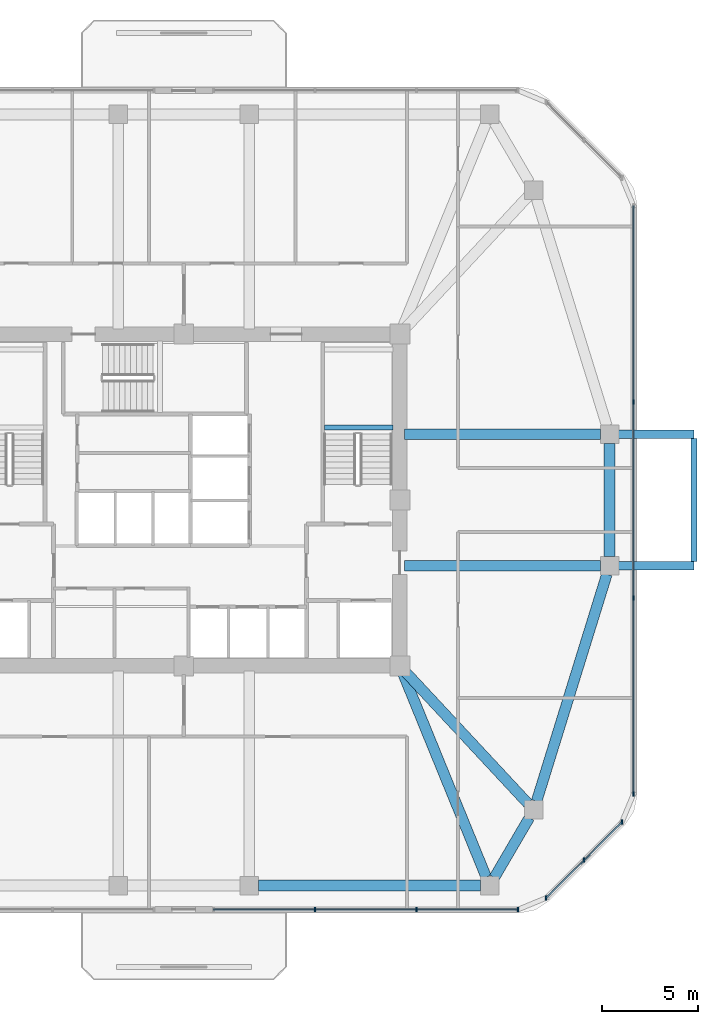
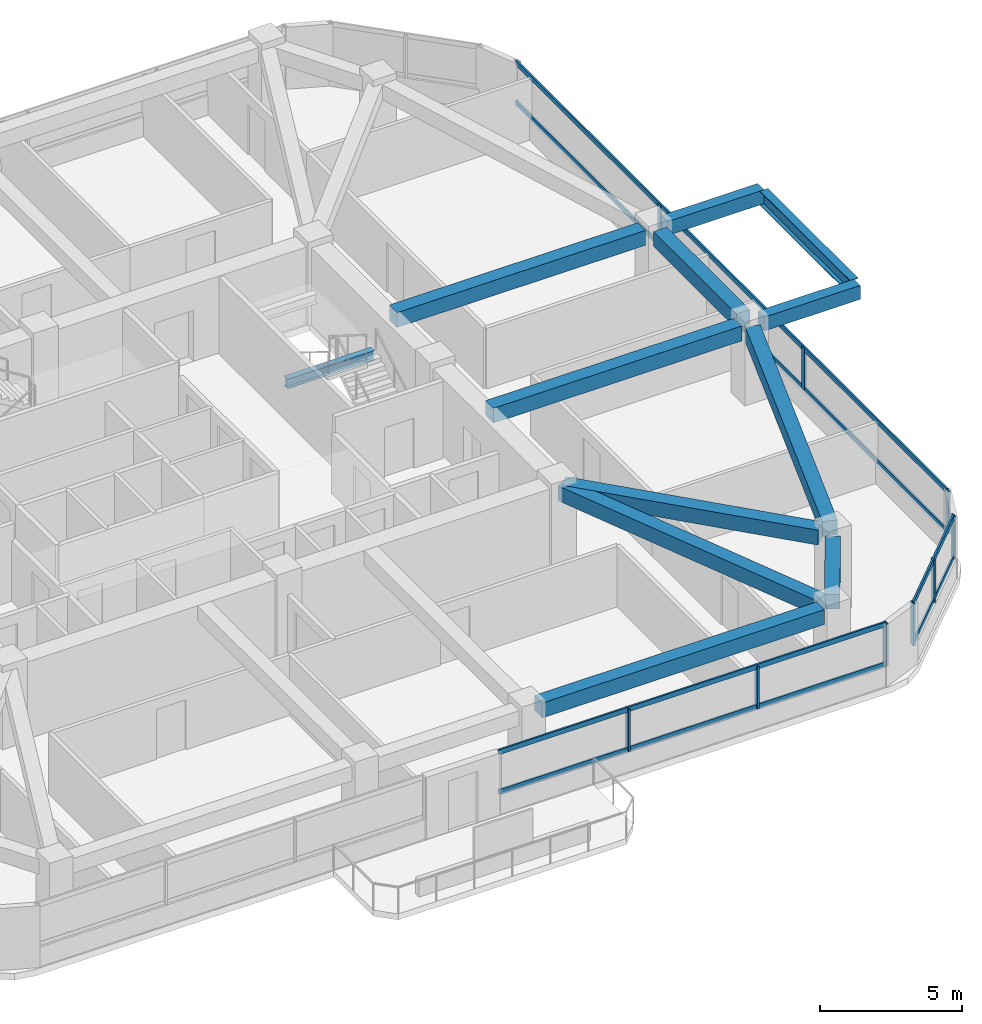
# One storey, part 3 of 11: 15 members, 12 beams, 3 elements without a shape of their own.
"""IFC4 building model written with IfcOpenShell, lengths in metres."""

import ifcopenshell
import ifcopenshell.guid

model = None  # the IFC model being written
_history = None  # IfcOwnerHistory: only IFC2X3 demands one
_inside = {}  # id of a spatial element -> (the spatial element, [elements in it])
_under = {}  # id of a project, library or spatial element -> (it, [spatial elements below it])
_declared = {}  # id of a project -> (the project, [libraries it declares])
_typed = {}  # id of a type object -> (the type object, [elements of that type])
_made_of = {}  # id of a material, layer set ... -> (it, [elements and type objects made of it])


def new_model(schema):
    """Start an empty IFC model of exactly this schema.

    Asked for "IFC4X3", IfcOpenShell would pick the latest addendum, in which some entities
    have other attributes; the version numbers below select the first issue.
    IFC2X3 requires an IfcOwnerHistory on every rooted entity: one is made here for all.
    """
    global model, _history
    if schema == "IFC4X3":
        model = ifcopenshell.file(schema_version=(4, 3, 0, 0))
    else:
        model = ifcopenshell.file(schema=schema)
    _inside.clear()
    _under.clear()
    _declared.clear()
    _typed.clear()
    _made_of.clear()
    _history = None
    if model.schema == "IFC2X3":
        org = make("IfcOrganization", Name="unknown")
        user = make(
            "IfcPersonAndOrganization",
            ThePerson=make("IfcPerson", FamilyName="unknown"),
            TheOrganization=org,
        )
        app = make(
            "IfcApplication",
            ApplicationDeveloper=org,
            Version="unknown",
            ApplicationFullName="unknown",
            ApplicationIdentifier="unknown",
        )
        _history = make(
            "IfcOwnerHistory",
            OwningUser=user,
            OwningApplication=app,
            ChangeAction="ADDED",
            CreationDate=0,
        )
    return model


def make(cls, **values):
    """One entity of the class cls with the attributes given. An attribute that is None is left unset."""
    return model.create_entity(
        cls, **{name: value for name, value in values.items() if value is not None}
    )


def rooted(cls, **values):
    """An entity with a GlobalId (a new one), such as an element, a storey or a relation."""
    return make(cls, GlobalId=ifcopenshell.guid.new(), OwnerHistory=_history, **values)


def si_unit(unit_type, name, prefix=None):
    """IfcSIUnit, for example si_unit("LENGTHUNIT", "METRE", prefix="MILLI")."""
    return make("IfcSIUnit", UnitType=unit_type, Prefix=prefix, Name=name)


def derived_unit(unit_type, elements):
    """IfcDerivedUnit: a product of units, each with its exponent."""
    return make(
        "IfcDerivedUnit",
        Elements=[
            make("IfcDerivedUnitElement", Unit=unit, Exponent=power)
            for unit, power in elements
        ],
        UnitType=unit_type,
    )


def assignment(units):
    """IfcUnitAssignment: the units of a project."""
    return None if units is None else make("IfcUnitAssignment", Units=units)


def point(xyz):
    """IfcCartesianPoint."""
    return None if xyz is None else make("IfcCartesianPoint", Coordinates=xyz)


def direction(xyz):
    """IfcDirection."""
    return None if xyz is None else make("IfcDirection", DirectionRatios=xyz)


def frame(location, z_axis=None, x_axis=None):
    """IfcAxis2Placement3D, a coordinate frame: its origin and axes. An axis left out is left unset."""
    return make(
        "IfcAxis2Placement3D",
        Location=point(location),
        Axis=direction(z_axis),
        RefDirection=direction(x_axis),
    )


def frame_2d(location, x_axis=None):
    """IfcAxis2Placement2D, a coordinate frame in the plane: its origin and x axis."""
    return make(
        "IfcAxis2Placement2D", Location=point(location), RefDirection=direction(x_axis)
    )


def origin():
    """The frame at (0, 0, 0) with its axes left unset."""
    return frame((0.0, 0.0, 0.0))


def origin_2d():
    """The frame at (0, 0) in the plane with its x axis left unset."""
    return frame_2d((0.0, 0.0))


def place(relative_to, where):
    """IfcLocalPlacement: puts the frame where relative to a parent placement (None: the world)."""
    return make(
        "IfcLocalPlacement", PlacementRelTo=relative_to, RelativePlacement=where
    )


def context(
    kind, dimensions, precision=None, world=None, true_north=None, identifier=None
):
    """IfcGeometricRepresentationContext, for example the 3D "Model" context."""
    return make(
        "IfcGeometricRepresentationContext",
        ContextIdentifier=identifier,
        ContextType=kind,
        CoordinateSpaceDimension=dimensions,
        Precision=precision,
        WorldCoordinateSystem=world,
        TrueNorth=true_north,
    )


def subcontext(parent, identifier, kind, view, scale=None):
    """IfcGeometricRepresentationSubContext, for example "Body" below "Model"."""
    return make(
        "IfcGeometricRepresentationSubContext",
        ContextIdentifier=identifier,
        ContextType=kind,
        ParentContext=parent,
        TargetScale=scale,
        TargetView=view,
    )


def project(units=None, contexts=None):
    """IfcProject with its units and contexts."""
    return rooted(
        "IfcProject",
        Name="project",
        RepresentationContexts=contexts,
        UnitsInContext=assignment(units),
    )


def spatial(cls, under=None, at=None, **own):
    """A site, building, storey or space (cls), placed at a placement, below another one or the project."""
    s = rooted(cls, ObjectPlacement=at, **own)
    if under is not None:
        _under.setdefault(under.id(), (under, []))[1].append(s)
    return s


def profile(cls, at=None, kind="AREA", **sizes):
    """A parametric profile (cls). Its sizes go by their IFC names, for example OverallWidth=200.0."""
    return make(cls, ProfileType=kind, Position=at, **sizes)


def rectangle(**sizes):
    """IfcRectangleProfileDef."""
    return profile("IfcRectangleProfileDef", **sizes)


def i_section(**sizes):
    """IfcIShapeProfileDef."""
    return profile("IfcIShapeProfileDef", **sizes)


def extrude(swept, where, along, depth):
    """IfcExtrudedAreaSolid: the profile swept, set in the frame where, extruded along a direction by depth."""
    return make(
        "IfcExtrudedAreaSolid",
        SweptArea=swept,
        Position=where,
        ExtrudedDirection=direction(along),
        Depth=depth,
    )


def shape(context_of_items, identifier, shape_type, items):
    """IfcShapeRepresentation: the items that make up one representation, for example the "Body"."""
    return make(
        "IfcShapeRepresentation",
        ContextOfItems=context_of_items,
        RepresentationIdentifier=identifier,
        RepresentationType=shape_type,
        Items=items,
    )


def material(Name=None, Category=None):
    """IfcMaterial."""
    return make("IfcMaterial", Name=Name, Category=Category)


def material_profile(
    of_material, cross_section, Name=None, Category=None, Priority=None
):
    """IfcMaterialProfile: a cross section and its material."""
    return make(
        "IfcMaterialProfile",
        Name=Name,
        Material=of_material,
        Profile=cross_section,
        Priority=Priority,
        Category=Category,
    )


def profile_set(profiles, Name=None, composite=None):
    """IfcMaterialProfileSet."""
    return make(
        "IfcMaterialProfileSet",
        Name=Name,
        MaterialProfiles=profiles,
        CompositeProfile=composite,
    )


def made_of(thing, what):
    """Note that an element or type object is made of a material, layer set ...; save() writes the relation."""
    if what is not None:
        _made_of.setdefault(what.id(), (what, []))[1].append(thing)
    return thing


def type_object(cls, material=None, **own):
    """A type object (cls), such as IfcWallType, which elements share."""
    return made_of(rooted(cls, **own), material)


def element(
    cls,
    number,
    at=None,
    inside=None,
    cuts=None,
    type_object=None,
    material=None,
    context=None,
    identifier="Body",
    shape_type=None,
    held_by="IfcProductDefinitionShape",
    body=None,
    shapes=None,
    **own,
):
    """One element of the class cls, such as IfcWall. Its Tag is "e" and its number.

    at: its placement. inside: the storey or other place that contains it. cuts: it is an
    opening in that element (IfcRelVoidsElement). A single representation is given by context,
    identifier, shape_type and body (its items); several are given by shapes. held_by: the class
    of the entity that holds the representations. save() writes the other relations.
    """
    e = rooted(cls, Tag="e%d" % number, ObjectPlacement=at, **own)
    if body is not None:
        shapes = [shape(context, identifier, shape_type, body)]
    if shapes is not None:
        e.Representation = make(held_by, Representations=shapes)
    if inside is not None:
        _inside.setdefault(inside.id(), (inside, []))[1].append(e)
    if cuts is not None:
        rooted(
            "IfcRelVoidsElement", RelatingBuildingElement=cuts, RelatedOpeningElement=e
        )
    if type_object is not None:
        _typed.setdefault(type_object.id(), (type_object, []))[1].append(e)
    return made_of(e, material)


def aggregate(whole, parts):
    """IfcRelAggregates: a whole, such as a stair, and the parts it consists of."""
    return rooted("IfcRelAggregates", RelatingObject=whole, RelatedObjects=parts)


def save(model, path):
    """Write the relations noted so far, then the file.

    IfcRelAggregates (storeys below a building ...), IfcRelContainedInSpatialStructure (elements
    in a storey), IfcRelDefinesByType, IfcRelAssociatesMaterial and IfcRelDeclares: one each for
    every whole, place, type object, material and project.
    """
    for whole, parts in _under.values():
        aggregate(whole, parts)
    for where, things in _inside.values():
        rooted(
            "IfcRelContainedInSpatialStructure",
            RelatedElements=things,
            RelatingStructure=where,
        )
    for kind, things in _typed.values():
        rooted("IfcRelDefinesByType", RelatedObjects=things, RelatingType=kind)
    for what, things in _made_of.values():
        rooted("IfcRelAssociatesMaterial", RelatedObjects=things, RelatingMaterial=what)
    for by, libraries in _declared.values():
        rooted("IfcRelDeclares", RelatingContext=by, RelatedDefinitions=libraries)
    model.write(path)


model = new_model("IFC4")

# Units and contexts
model_context = context("Model", 3, precision=1e-05, world=origin(), true_north=direction((0.0, 1.0)))
body_context = subcontext(model_context, "Body", "Model", "MODEL_VIEW")
ifc_project = project(units=[si_unit("LENGTHUNIT", "METRE"), si_unit("AREAUNIT", "SQUARE_METRE"), si_unit("VOLUMEUNIT", "CUBIC_METRE"), si_unit("PLANEANGLEUNIT", "RADIAN"), si_unit("MASSUNIT", "GRAM", prefix="KILO"), derived_unit("THERMALTRANSMITTANCEUNIT", [(si_unit("POWERUNIT", "WATT"), 1), (si_unit("LENGTHUNIT", "METRE"), -2), (si_unit("THERMODYNAMICTEMPERATUREUNIT", "KELVIN"), -1)])], contexts=[model_context])

# Site, building, storey
site_placement = place(None, origin())
site = spatial("IfcSite", under=ifc_project, at=site_placement, CompositionType="ELEMENT")
building_placement = place(site_placement, origin())
building = spatial("IfcBuilding", under=site, at=building_placement, Name="Koralith Skygarden Medical Center", CompositionType="ELEMENT")
storey_placement = place(building_placement, frame((0.0, 0.0, 167.219970703125)))
storey = spatial("IfcBuildingStorey", under=building, at=storey_placement, Name="L43", CompositionType="ELEMENT", Elevation=167.219970703125)

# Curtain wall, members
ifc_material_1 = material(Name="Clear Laminated Glass", Category="glass")
curtain_wall_type = type_object("IfcCurtainWallType", Name="CW-4 Zone 3 Waist High-Wind Curtain Wall", PredefinedType="NOTDEFINED", material=ifc_material_1)
curtain_wall_1_placement = place(storey_placement, origin())
curtain_wall_1 = element("IfcCurtainWall", 1, at=curtain_wall_1_placement, inside=storey, type_object=curtain_wall_type, Name="Curtain Wall CW-L43-S-R", PredefinedType="NOTDEFINED")
ifc_material_2 = material(Name="Aluminium 6063-T6", Category="aluminium")
ifc_material_profile_1 = material_profile(ifc_material_2, rectangle(XDim=0.076904296875, YDim=0.22998046875, at=origin_2d()), Name="MUL77X230")
ifc_profile_set_1 = profile_set([ifc_material_profile_1], Name="Aluminium 6063-T6")
member_type_1 = type_object("IfcMemberType", Name="CW-4 Extruded Mullion 77x230", PredefinedType="MULLION", material=ifc_profile_set_1)
member_1_placement = place(storey_placement, frame((43.802001953125, 4.679931640625, 0.85009765625), z_axis=(0.0, 0.0, 1.0), x_axis=(1.0, 0.0, 0.0)))
member_1 = element("IfcMember", 2, at=member_1_placement, type_object=member_type_1, Name="CW-L43-S-R Mullion 2", PredefinedType="MULLION", context=body_context, shape_type="SweptSolid", body=[
    extrude(rectangle(XDim=0.076904296875, YDim=0.22998046875, at=origin_2d()), origin(), (0.0, 0.0, 1.0), 1.81982421875),
])
member_2_placement = place(storey_placement, frame((49.06591796875, 4.679931640625, 0.85009765625), z_axis=(0.0, 0.0, 1.0), x_axis=(1.0, 0.0, 0.0)))
member_2 = element("IfcMember", 3, at=member_2_placement, type_object=member_type_1, Name="CW-L43-S-R Mullion 3", PredefinedType="MULLION", context=body_context, shape_type="SweptSolid", body=[
    extrude(rectangle(XDim=0.076904296875, YDim=0.22998046875, at=origin_2d()), origin(), (0.0, 0.0, 1.0), 1.81982421875),
])
member_3_placement = place(storey_placement, frame((54.3291015625, 4.679931640625, 0.85009765625), z_axis=(0.0, 0.0, 1.0), x_axis=(1.0, 0.0, 0.0)))
member_3 = element("IfcMember", 4, at=member_3_placement, type_object=member_type_1, Name="CW-L43-S-R Mullion 4", PredefinedType="MULLION", context=body_context, shape_type="SweptSolid", body=[
    extrude(rectangle(XDim=0.076904296875, YDim=0.22998046875, at=origin_2d()), origin(), (0.0, 0.0, 1.0), 1.81982421875),
])

curtain_wall_2_placement = place(storey_placement, origin())
curtain_wall_2 = element("IfcCurtainWall", 5, at=curtain_wall_2_placement, inside=storey, type_object=curtain_wall_type, Name="Curtain Wall CW-L43-SE", PredefinedType="NOTDEFINED")
member_4_placement = place(storey_placement, frame((55.780029296875, 5.281005859375, 0.85009765625), z_axis=(0.0, 0.0, 1.0), x_axis=(1.0, 0.0, 0.0)))
member_4 = element("IfcMember", 6, at=member_4_placement, type_object=member_type_1, Name="CW-L43-SE Mullion 1", PredefinedType="MULLION", context=body_context, shape_type="SweptSolid", body=[
    extrude(rectangle(XDim=0.076904296875, YDim=0.22998046875, at=origin_2d()), origin(), (0.0, 0.0, 1.0), 1.81982421875),
])
member_5_placement = place(storey_placement, frame((57.741943359375, 7.241943359375, 0.85009765625), z_axis=(0.0, 0.0, 1.0), x_axis=(1.0, 0.0, 0.0)))
member_5 = element("IfcMember", 7, at=member_5_placement, type_object=member_type_1, Name="CW-L43-SE Mullion 2", PredefinedType="MULLION", context=body_context, shape_type="SweptSolid", body=[
    extrude(rectangle(XDim=0.076904296875, YDim=0.22998046875, at=origin_2d()), origin(), (0.0, 0.0, 1.0), 1.81982421875),
])
member_6_placement = place(storey_placement, frame((59.702880859375, 9.2041015625, 0.85009765625), z_axis=(0.0, 0.0, 1.0), x_axis=(1.0, 0.0, 0.0)))
member_6 = element("IfcMember", 8, at=member_6_placement, type_object=member_type_1, Name="CW-L43-SE Mullion 3", PredefinedType="MULLION", context=body_context, shape_type="SweptSolid", body=[
    extrude(rectangle(XDim=0.076904296875, YDim=0.22998046875, at=origin_2d()), origin(), (0.0, 0.0, 1.0), 1.81982421875),
])

curtain_wall_3_placement = place(storey_placement, origin())
curtain_wall_3 = element("IfcCurtainWall", 9, at=curtain_wall_3_placement, inside=storey, type_object=curtain_wall_type, Name="Curtain Wall CW-L43-E", PredefinedType="NOTDEFINED")
member_7_placement = place(storey_placement, frame((60.303955078125, 10.655029296875, 0.85009765625), z_axis=(0.0, 0.0, 1.0), x_axis=(1.0, 0.0, 0.0)))
member_7 = element("IfcMember", 10, at=member_7_placement, type_object=member_type_1, Name="CW-L43-E Mullion 1", PredefinedType="MULLION", context=body_context, shape_type="SweptSolid", body=[
    extrude(rectangle(XDim=0.076904296875, YDim=0.22998046875, at=origin_2d()), origin(), (0.0, 0.0, 1.0), 1.81982421875),
])
member_8_placement = place(storey_placement, frame((60.303955078125, 20.818115234375, 0.85009765625), z_axis=(0.0, 0.0, 1.0), x_axis=(1.0, 0.0, 0.0)))
member_8 = element("IfcMember", 11, at=member_8_placement, type_object=member_type_1, Name="CW-L43-E Mullion 2", PredefinedType="MULLION", context=body_context, shape_type="SweptSolid", body=[
    extrude(rectangle(XDim=0.076904296875, YDim=0.22998046875, at=origin_2d()), origin(), (0.0, 0.0, 1.0), 1.81982421875),
])
member_9_placement = place(storey_placement, frame((60.303955078125, 30.98193359375, 0.85009765625), z_axis=(0.0, 0.0, 1.0), x_axis=(1.0, 0.0, 0.0)))
member_9 = element("IfcMember", 12, at=member_9_placement, type_object=member_type_1, Name="CW-L43-E Mullion 3", PredefinedType="MULLION", context=body_context, shape_type="SweptSolid", body=[
    extrude(rectangle(XDim=0.076904296875, YDim=0.22998046875, at=origin_2d()), origin(), (0.0, 0.0, 1.0), 1.81982421875),
])

# Member
ifc_material_profile_2 = material_profile(ifc_material_2, rectangle(XDim=0.072021484375, YDim=0.20703125, at=origin_2d()), Name="TRN72X207")
ifc_profile_set_2 = profile_set([ifc_material_profile_2], Name="Aluminium 6063-T6")
member_type_2 = type_object("IfcMemberType", Name="CW-4 Thermal Transom 72x207", PredefinedType="USERDEFINED", material=ifc_profile_set_2)
member_10_placement = place(storey_placement, frame((38.5390625, 4.679931640625, 0.900146484375), z_axis=(1.0, 0.0, 0.0), x_axis=(0.0, 1.0, 0.0)))
member_10 = element("IfcMember", 13, at=member_10_placement, type_object=member_type_2, Name="CW-L43-S-R Transom 1", ObjectType="TRANSOM", PredefinedType="USERDEFINED", context=body_context, shape_type="SweptSolid", body=[
    extrude(rectangle(XDim=0.072021484375, YDim=0.20703125, at=origin_2d()), origin(), (0.0, 0.0, 1.0), 15.7900390625),
])

member_11_placement = place(storey_placement, frame((38.5390625, 4.679931640625, 2.6201171875), z_axis=(1.0, 0.0, 0.0), x_axis=(0.0, 1.0, 0.0)))
member_11 = element("IfcMember", 14, at=member_11_placement, type_object=member_type_2, Name="CW-L43-S-R Transom 2", ObjectType="TRANSOM", PredefinedType="USERDEFINED", context=body_context, shape_type="SweptSolid", body=[
    extrude(rectangle(XDim=0.072021484375, YDim=0.20703125, at=origin_2d()), origin(), (0.0, 0.0, 1.0), 15.7900390625),
])

aggregate(curtain_wall_1, [member_1, member_2, member_3, member_10, member_11])

member_12_placement = place(storey_placement, frame((55.780029296875, 5.281005859375, 0.900146484375), z_axis=(0.707084777957, 0.707128783731, 0.0), x_axis=(-0.707128783731, 0.707084777957, 0.0)))
member_12 = element("IfcMember", 15, at=member_12_placement, type_object=member_type_2, Name="CW-L43-SE Transom 1", ObjectType="TRANSOM", PredefinedType="USERDEFINED", context=body_context, shape_type="SweptSolid", body=[
    extrude(rectangle(XDim=0.072021484375, YDim=0.20703125, at=origin_2d()), origin(), (0.0, 0.0, 1.0), 5.5478515625),
])

member_13_placement = place(storey_placement, frame((55.780029296875, 5.281005859375, 2.6201171875), z_axis=(0.707084777957, 0.707128783731, 0.0), x_axis=(-0.707128783731, 0.707084777957, 0.0)))
member_13 = element("IfcMember", 16, at=member_13_placement, type_object=member_type_2, Name="CW-L43-SE Transom 2", ObjectType="TRANSOM", PredefinedType="USERDEFINED", context=body_context, shape_type="SweptSolid", body=[
    extrude(rectangle(XDim=0.072021484375, YDim=0.20703125, at=origin_2d()), origin(), (0.0, 0.0, 1.0), 5.5478515625),
])

aggregate(curtain_wall_2, [member_4, member_5, member_6, member_12, member_13])

member_14_placement = place(storey_placement, frame((60.303955078125, 10.655029296875, 0.900146484375), z_axis=(0.0, 1.0, 0.0), x_axis=(-1.0, 0.0, 0.0)))
member_14 = element("IfcMember", 17, at=member_14_placement, type_object=member_type_2, Name="CW-L43-E Transom 1", ObjectType="TRANSOM", PredefinedType="USERDEFINED", context=body_context, shape_type="SweptSolid", body=[
    extrude(rectangle(XDim=0.072021484375, YDim=0.20703125, at=origin_2d()), origin(), (0.0, 0.0, 1.0), 30.489990234375),
])

member_15_placement = place(storey_placement, frame((60.303955078125, 10.655029296875, 2.6201171875), z_axis=(0.0, 1.0, 0.0), x_axis=(-1.0, 0.0, 0.0)))
member_15 = element("IfcMember", 18, at=member_15_placement, type_object=member_type_2, Name="CW-L43-E Transom 2", ObjectType="TRANSOM", PredefinedType="USERDEFINED", context=body_context, shape_type="SweptSolid", body=[
    extrude(rectangle(XDim=0.072021484375, YDim=0.20703125, at=origin_2d()), origin(), (0.0, 0.0, 1.0), 30.489990234375),
])

aggregate(curtain_wall_3, [member_7, member_8, member_9, member_14, member_15])

# Beams
ifc_material_3 = material(Name="Steel ASTM A992 Grade 50", Category="steel")
ifc_material_profile_3 = material_profile(ifc_material_3, i_section(OverallWidth=0.326904296875, OverallDepth=0.6220703125, WebThickness=0.015380859375, FlangeThickness=0.0244140625, at=origin_2d()), Name="W24X131")
ifc_profile_set_3 = profile_set([ifc_material_profile_3], Name="Steel ASTM A992 Grade 50")
beam_type_1 = type_object("IfcBeamType", Name="Cantilever Tie Beam W24X131", PredefinedType="BEAM", material=ifc_profile_set_3)
beam_1_placement = place(storey_placement, frame((63.444091796875, 22.719970703125, 3.029052734375), z_axis=(0.0, 1.0, 0.0), x_axis=(-1.0, 0.0, 0.0)))
element("IfcBeam", 19, at=beam_1_placement, inside=storey, type_object=beam_type_1, Name="L44 E Balcony Tip Tie Beam", PredefinedType="BEAM", context=body_context, shape_type="SweptSolid", body=[
    extrude(i_section(OverallWidth=0.326904296875, OverallDepth=0.6220703125, WebThickness=0.015380859375, FlangeThickness=0.0244140625, at=origin_2d()), origin(), (0.0, 0.0, 1.0), 6.360107421875),
])
ifc_material_profile_4 = material_profile(ifc_material_3, i_section(OverallWidth=0.260009765625, OverallDepth=0.4150390625, WebThickness=0.010009765625, FlangeThickness=0.016845703125, at=origin_2d()), Name="W16X67")
ifc_profile_set_4 = profile_set([ifc_material_profile_4], Name="Steel ASTM A992 Grade 50")
beam_type_2 = type_object("IfcBeamType", Name="Clinical Floor Joist W16X67", PredefinedType="JOIST", material=ifc_profile_set_4)
beam_2_placement = place(storey_placement, frame((44.280029296875, 29.659912109375, 1.39306640625), z_axis=(1.0, 0.0, 0.0), x_axis=(0.0, 1.0, 0.0)))
element("IfcBeam", 20, at=beam_2_placement, inside=storey, type_object=beam_type_2, Name="L43 Stair ST2 Half-Landing Support Beam 1A", PredefinedType="JOIST", context=body_context, shape_type="SweptSolid", body=[
    extrude(i_section(OverallWidth=0.260009765625, OverallDepth=0.4150390625, WebThickness=0.010009765625, FlangeThickness=0.016845703125, at=origin_2d()), origin(), (0.0, 0.0, 1.0), 3.56494140625),
])
ifc_material_4 = material(Name="Concrete C45/55", Category="concrete")
ifc_material_profile_5 = material_profile(ifc_material_4, rectangle(XDim=0.449951171875, YDim=0.60009765625, at=origin_2d()), Name="RCB450X600")
ifc_profile_set_5 = profile_set([ifc_material_profile_5], Name="Concrete C45/55")
beam_type_3 = type_object("IfcBeamType", Name="Planted Balcony Cantilever Beam RCB450X600", PredefinedType="BEAM", material=ifc_profile_set_5)
for number, where, z_axis, x_axis, name in (
    (21, (59.52392578125, 22.5, 3.0400390625), (1.0, 0.0, 0.0), (0.0, 1.0, 0.0), "L44 E Balcony Cantilever Beam A"),
    (22, (59.52392578125, 29.300048828125, 3.0400390625), (1.0, 0.0, 0.0), (0.0, 1.0, 0.0), "L44 E Balcony Cantilever Beam B"),
):
    element("IfcBeam", number, at=place(storey_placement, frame(where, z_axis=z_axis, x_axis=x_axis)), inside=storey, type_object=beam_type_3, Name=name, PredefinedType="BEAM", context=body_context, shape_type="SweptSolid", body=[
        extrude(rectangle(XDim=0.449951171875, YDim=0.60009765625, at=origin_2d()), origin(), (0.0, 0.0, 1.0), 3.920166015625),
    ])
ifc_material_profile_6 = material_profile(ifc_material_4, rectangle(XDim=0.550048828125, YDim=0.639892578125, at=origin_2d()), Name="RCB550X640")
ifc_profile_set_6 = profile_set([ifc_material_profile_6], Name="Concrete C45/55")
beam_type_4 = type_object("IfcBeamType", Name="Radial Collector Beam RCB550X640", PredefinedType="BEAM", material=ifc_profile_set_6)
beam_3_placement = place(storey_placement, frame((48.294921875, 17.069091796875, 3.0), z_axis=(0.378344544364, -0.92566484526, 0.0), x_axis=(0.92566484526, 0.378344544364, 0.0)))
element("IfcBeam", 23, at=beam_3_placement, inside=storey, type_object=beam_type_4, Name="L43 Radial Collector Beam RB-06", PredefinedType="BEAM", context=body_context, shape_type="SweptSolid", body=[
    extrude(rectangle(XDim=0.550048828125, YDim=0.639892578125, at=origin_2d()), origin(), (0.0, 0.0, 1.0), 11.574462890625),
])
beam_4_placement = place(storey_placement, frame((48.3701171875, 17.116943359375, 3.0), z_axis=(0.681369011591, -0.731940072713, 0.0), x_axis=(0.731940072713, 0.681369011591, 0.0)))
element("IfcBeam", 24, at=beam_4_placement, inside=storey, type_object=beam_type_4, Name="L43 Radial Collector Beam RB-07", PredefinedType="BEAM", context=body_context, shape_type="SweptSolid", body=[
    extrude(rectangle(XDim=0.550048828125, YDim=0.639892578125, at=origin_2d()), origin(), (0.0, 0.0, 1.0), 9.471923828125),
])
for number, where, z_axis, x_axis, name in (
    (25, (48.449951171875, 22.5, 3.0), (1.0, 0.0, 0.0), (0.0, 1.0, 0.0), "L43 Radial Collector Beam RB-08"),
    (26, (48.449951171875, 29.300048828125, 3.0), (1.0, 0.0, 0.0), (0.0, 1.0, 0.0), "L43 Radial Collector Beam RB-09"),
):
    element("IfcBeam", number, at=place(storey_placement, frame(where, z_axis=z_axis, x_axis=x_axis)), inside=storey, type_object=beam_type_4, Name=name, PredefinedType="BEAM", context=body_context, shape_type="SweptSolid", body=[
        extrude(rectangle(XDim=0.550048828125, YDim=0.639892578125, at=origin_2d()), origin(), (0.0, 0.0, 1.0), 10.14404296875),
    ])
ifc_material_profile_7 = material_profile(ifc_material_4, rectangle(XDim=0.550048828125, YDim=0.639892578125, at=origin_2d()), Name="RCB550X640")
ifc_profile_set_7 = profile_set([ifc_material_profile_7], Name="Concrete C45/55")
beam_type_5 = type_object("IfcBeamType", Name="Zone 2-3 Spandrel Beam RCB550X640", PredefinedType="SPANDREL", material=ifc_profile_set_7)
beam_5_placement = place(storey_placement, frame((40.8701171875, 5.919921875, 3.0), z_axis=(1.0, 0.0, 0.0), x_axis=(0.0, 1.0, 0.0)))
element("IfcBeam", 27, at=beam_5_placement, inside=storey, type_object=beam_type_5, Name="L43 Perimeter Spandrel Beam SP-05", PredefinedType="SPANDREL", context=body_context, shape_type="SweptSolid", body=[
    extrude(rectangle(XDim=0.550048828125, YDim=0.639892578125, at=origin_2d()), origin(), (0.0, 0.0, 1.0), 11.511962890625),
])
beam_6_placement = place(storey_placement, frame((53.089111328125, 6.325927734375, 3.0), z_axis=(0.504861391295, 0.863200426077, 0.0), x_axis=(-0.863200426077, 0.504861391295, 0.0)))
element("IfcBeam", 28, at=beam_6_placement, inside=storey, type_object=beam_type_5, Name="L43 Perimeter Spandrel Beam SP-06", PredefinedType="SPANDREL", context=body_context, shape_type="SweptSolid", body=[
    extrude(rectangle(XDim=0.550048828125, YDim=0.639892578125, at=origin_2d()), origin(), (0.0, 0.0, 1.0), 3.600830078125),
])
beam_7_placement = place(storey_placement, frame((55.282958984375, 10.2890625, 3.0), z_axis=(0.295793585147, 0.955251880389, 0.0), x_axis=(-0.955251880389, 0.295793585147, 0.0)))
element("IfcBeam", 29, at=beam_7_placement, inside=storey, type_object=beam_type_5, Name="L43 Perimeter Spandrel Beam SP-07", PredefinedType="SPANDREL", context=body_context, shape_type="SweptSolid", body=[
    extrude(rectangle(XDim=0.550048828125, YDim=0.639892578125, at=origin_2d()), origin(), (0.0, 0.0, 1.0), 12.31298828125),
])
beam_8_placement = place(storey_placement, frame((59.06396484375, 22.969970703125, 3.0), z_axis=(0.0, 1.0, 0.0), x_axis=(-1.0, 0.0, 0.0)))
element("IfcBeam", 30, at=beam_8_placement, inside=storey, type_object=beam_type_5, Name="L43 Perimeter Spandrel Beam SP-08", PredefinedType="SPANDREL", context=body_context, shape_type="SweptSolid", body=[
    extrude(rectangle(XDim=0.550048828125, YDim=0.639892578125, at=origin_2d()), origin(), (0.0, 0.0, 1.0), 5.860107421875),
])

save(model, "model.ifc")
